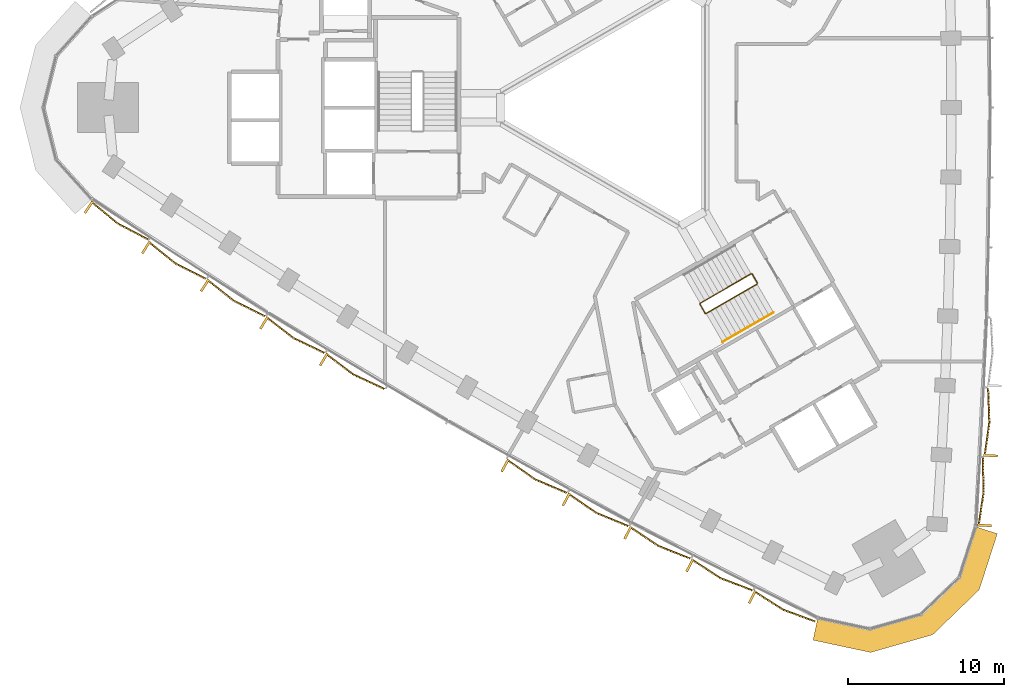
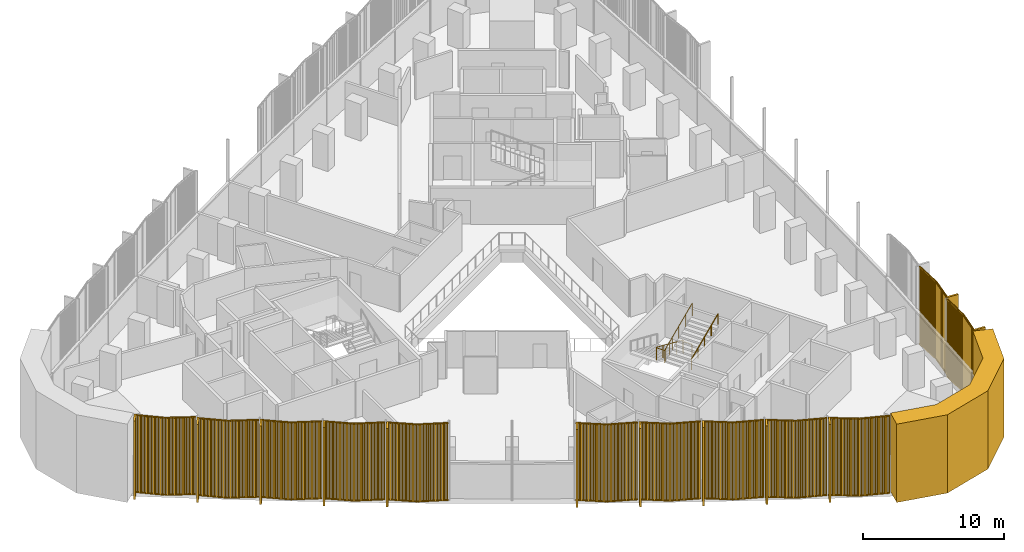
# One storey, part 12 of 15: 13 coverings, 2 railings.
"""IFC4 building model written with IfcOpenShell, lengths in metres."""

from ifc_helpers import new_model, si_unit, direction, frame, frame_2d, origin, origin_2d, place, context, subcontext, project, spatial, polyline, rectangle, circle, outline, extrude, source, transform, mapped, material, layer, layer_set, type_object, element, save


model = new_model("IFC4")

# Units and contexts
model_context = context("Model", 3, precision=1e-05, world=origin(), true_north=direction((0.0, 1.0)))
body_context = subcontext(model_context, "Body", "Model", "MODEL_VIEW")
ifc_project = project(units=[si_unit("LENGTHUNIT", "METRE"), si_unit("AREAUNIT", "SQUARE_METRE"), si_unit("VOLUMEUNIT", "CUBIC_METRE"), si_unit("PLANEANGLEUNIT", "RADIAN"), si_unit("MASSUNIT", "GRAM", prefix="KILO")], contexts=[model_context])

# Site, building, storey
site_placement = place(None, origin())
site = spatial("IfcSite", under=ifc_project, at=site_placement, CompositionType="ELEMENT")
building_placement = place(site_placement, origin())
building = spatial("IfcBuilding", under=site, at=building_placement, Name="Tamra Quay Hotel Tower", CompositionType="ELEMENT")
storey_placement = place(building_placement, frame((0.0, 0.0, 101.0)))
storey = spatial("IfcBuildingStorey", under=building, at=storey_placement, Name="L24", CompositionType="ELEMENT", Elevation=101.0)

# Covering
ifc_material_1 = material(Name="Precast concrete M60 terracotta-coloured", Category="masonry")
ifc_layer = layer(ifc_material_1, 1.449951171875)
ifc_layer_set = layer_set([ifc_layer], Name="CORNER PIER PANEL")
covering_type_1 = type_object("IfcCoveringType", Name="CORNER PIER PANEL", PredefinedType="CLADDING", material=ifc_layer_set)
covering_placement = place(storey_placement, origin())
element("IfcCovering", 1, at=covering_placement, inside=storey, type_object=covering_type_1, Name="Corner pier L24.south-west", PredefinedType="CLADDING", context=body_context, shape_type="SweptSolid", body=[
    extrude(outline(polyline([(12.11181640625, -32.657470703125), (11.808349609375, -34.075439453125), (15.497314453125, -34.864501953125), (19.471923828125, -33.7265625), (22.44482421875, -30.853271484375), (23.60595703125, -27.26416015625), (22.226318359375, -26.81787109375), (21.1767578125, -30.062255859375), (18.724609375, -32.43212890625), (15.4462890625, -33.370849609375), (12.11181640625, -32.657470703125)])), origin(), (0.0, 0.0, 1.0), 6.77490234375),
])

# Railings
ifc_material_2 = material(Name="Stair guard 1100")
railing_type_1 = type_object("IfcRailingType", Name="Stair guard 1100", PredefinedType="GUARDRAIL", material=ifc_material_2)
railing_1_placement = place(storey_placement, frame((8.245849609375, -11.221923828125, 0.0)))
element("IfcRailing", 2, at=railing_1_placement, inside=storey, type_object=railing_type_1, Name="GR", PredefinedType="GUARDRAIL", context=body_context, shape_type="SweptSolid", body=[
    extrude(circle(Radius=0.02392578125, at=origin_2d()), frame((0.0, 0.0, 1.076171875), z_axis=(-0.500043078269, 0.866000531106, 0.0), x_axis=(-0.866000531106, -0.500043078269, 0.0)), (0.0, 0.0, 1.0), 0.6591796875),
    extrude(circle(Radius=0.02392578125, at=origin_2d()), frame((-0.32958984375, 0.57080078125, 1.076171875), z_axis=(-0.41238007866, 0.110458949641, 0.904290601062), x_axis=(-0.258736085224, -0.965948051503, 0.0)), (0.0, 0.0, 1.0), 0.165771484375),
    extrude(circle(Radius=0.02392578125, at=origin_2d()), frame((-0.39794921875, 0.589111328125, 1.22607421875), z_axis=(-0.793081581205, -0.457901355053, 0.401681409319), x_axis=(0.500012686397, -0.866018079166, 0.0)), (0.0, 0.0, 1.0), 4.108154296875),
    extrude(circle(Radius=0.02392578125, at=origin_2d()), frame((-3.656005859375, -1.2919921875, 2.8759765625), z_axis=(-0.256368644879, -0.966579080015, 0.0), x_axis=(0.966579080015, -0.256368644879, 0.0)), (0.0, 0.0, 1.0), 0.070556640625),
    extrude(circle(Radius=0.02392578125, at=origin_2d()), frame((-3.674072265625, -1.360107421875, 2.8759765625), z_axis=(0.499765215335, -0.866160914346, 0.0), x_axis=(0.866160914346, 0.499765215335, 0.0)), (0.0, 0.0, 1.0), 0.658935546875),
    extrude(circle(Radius=0.02392578125, at=origin_2d()), frame((-3.3447265625, -1.930908203125, 2.8759765625), z_axis=(0.41238007866, -0.110458949641, 0.904290601062), x_axis=(0.258736085224, 0.965948051503, 0.0)), (0.0, 0.0, 1.0), 0.165771484375),
    extrude(circle(Radius=0.02392578125, at=origin_2d()), frame((-3.2763671875, -1.94921875, 3.02587890625), z_axis=(0.793081581205, 0.457901355053, 0.401681409319), x_axis=(-0.500012686397, 0.866018079166, 0.0)), (0.0, 0.0, 1.0), 4.108154296875),
    extrude(circle(Radius=0.02099609375, at=origin_2d()), origin(), (0.0, 0.0, 1.0), 1.052001953125),
    extrude(circle(Radius=0.02099609375, at=origin_2d()), frame((-0.32958984375, 0.57080078125, 0.0)), (0.0, 0.0, 1.0), 1.052001953125),
    extrude(circle(Radius=0.02099609375, at=origin_2d()), frame((-0.39794921875, 0.589111328125, 0.14990234375)), (0.0, 0.0, 1.0), 1.052001953125),
    extrude(circle(Radius=0.02099609375, at=origin_2d()), frame((-1.21240234375, 0.118896484375, 0.5625)), (0.0, 0.0, 1.0), 1.052001953125),
    extrude(circle(Radius=0.02099609375, at=origin_2d()), frame((-2.02685546875, -0.3515625, 0.97509765625)), (0.0, 0.0, 1.0), 1.052001953125),
    extrude(circle(Radius=0.02099609375, at=origin_2d()), frame((-2.841552734375, -0.82177734375, 1.387451171875)), (0.0, 0.0, 1.0), 1.052001953125),
    extrude(circle(Radius=0.02099609375, at=origin_2d()), frame((-3.656005859375, -1.2919921875, 1.800048828125)), (0.0, 0.0, 1.0), 1.052001953125),
    extrude(circle(Radius=0.02099609375, at=origin_2d()), frame((-3.674072265625, -1.360107421875, 1.800048828125)), (0.0, 0.0, 1.0), 1.052001953125),
    extrude(circle(Radius=0.02099609375, at=origin_2d()), frame((-3.3447265625, -1.930908203125, 1.800048828125)), (0.0, 0.0, 1.0), 1.052001953125),
    extrude(circle(Radius=0.02099609375, at=origin_2d()), frame((-3.2763671875, -1.94921875, 1.949951171875)), (0.0, 0.0, 1.0), 1.052001953125),
    extrude(circle(Radius=0.02099609375, at=origin_2d()), frame((-2.4619140625, -1.47900390625, 2.362548828125)), (0.0, 0.0, 1.0), 1.052001953125),
    extrude(circle(Radius=0.02099609375, at=origin_2d()), frame((-1.6474609375, -1.0087890625, 2.77490234375)), (0.0, 0.0, 1.0), 1.052001953125),
    extrude(circle(Radius=0.02099609375, at=origin_2d()), frame((-0.832763671875, -0.538330078125, 3.1875)), (0.0, 0.0, 1.0), 1.052001953125),
    extrude(circle(Radius=0.02099609375, at=origin_2d()), frame((-0.018310546875, -0.068115234375, 3.60009765625)), (0.0, 0.0, 1.0), 1.052001953125),
])
ifc_material_3 = material(Name="Stair handrail 900")
railing_type_2 = type_object("IfcRailingType", Name="Stair handrail 900", PredefinedType="HANDRAIL", material=ifc_material_3)
railing_2_placement = place(storey_placement, frame((6.01953125, -14.98974609375, 1.949951171875)))
element("IfcRailing", 3, at=railing_2_placement, inside=storey, type_object=railing_type_2, Name="HR", PredefinedType="HANDRAIL", context=body_context, shape_type="SweptSolid", body=[
    extrude(circle(Radius=0.02392578125, at=origin_2d()), frame((0.0, 0.0, 0.8759765625), z_axis=(0.793081112945, 0.457875966286, 0.40171127416), x_axis=(-0.499992114976, 0.866029956157, 0.0)), (0.0, 0.0, 1.0), 4.10791015625),
    extrude(circle(Radius=0.02099609375, at=origin_2d()), origin(), (0.0, 0.0, 1.0), 0.851806640625),
    extrude(circle(Radius=0.02099609375, at=origin_2d()), frame((0.814453125, 0.47021484375, 0.41259765625)), (0.0, 0.0, 1.0), 0.851806640625),
    extrude(circle(Radius=0.02099609375, at=origin_2d()), frame((1.62890625, 0.9404296875, 0.8251953125)), (0.0, 0.0, 1.0), 0.851806640625),
    extrude(circle(Radius=0.02099609375, at=origin_2d()), frame((2.443359375, 1.41064453125, 1.237548828125)), (0.0, 0.0, 1.0), 0.851806640625),
    extrude(circle(Radius=0.02099609375, at=origin_2d()), frame((3.2578125, 1.880859375, 1.650146484375)), (0.0, 0.0, 1.0), 0.851806640625),
])

# Coverings
ifc_material_4 = material(Name="Terracotta baguette extruded", Category="masonry")
covering_type_2 = type_object("IfcCoveringType", Name="BAGUETTE SCREEN E-V H6775", PredefinedType="USERDEFINED", material=ifc_material_4)
shared_shape_1 = source(origin(), body_context, "Body", "SweptSolid", [
    extrude(rectangle(XDim=2.200927734375, YDim=0.06005859375, at=frame_2d((1.1005859375, 0.030029296875))), frame((-2.19775390625, -0.057861328125, -0.1201171875), z_axis=(0.0, 0.0, 1.0), x_axis=(0.996194698092, -0.087155742748, 0.0)), (0.0, 0.0, 1.0), 0.1201171875),
    extrude(rectangle(XDim=2.200927734375, YDim=0.06005859375, at=frame_2d((1.1005859375, 0.030029296875))), frame((-2.19775390625, -0.057861328125, -6.77490234375), z_axis=(0.0, 0.0, 1.0), x_axis=(0.996194698092, -0.087155742748, 0.0)), (0.0, 0.0, 1.0), 0.1201171875),
    extrude(rectangle(XDim=0.070068359375, YDim=0.10009765625, at=frame_2d((0.03515625, 0.050048828125))), frame((-2.177734375, -0.13232421875, -6.715087890625)), (0.0, 0.0, 1.0), 6.655029296875),
    extrude(rectangle(XDim=0.070068359375, YDim=0.10009765625, at=frame_2d((0.03515625, 0.050048828125))), frame((-2.078125, -0.14111328125, -6.715087890625)), (0.0, 0.0, 1.0), 6.655029296875),
    extrude(rectangle(XDim=0.070068359375, YDim=0.10009765625, at=frame_2d((0.03515625, 0.050048828125))), frame((-1.978271484375, -0.14990234375, -6.715087890625)), (0.0, 0.0, 1.0), 6.655029296875),
    extrude(rectangle(XDim=0.070068359375, YDim=0.10009765625, at=frame_2d((0.03515625, 0.050048828125))), frame((-1.878662109375, -0.158447265625, -6.715087890625)), (0.0, 0.0, 1.0), 6.655029296875),
    extrude(rectangle(XDim=0.070068359375, YDim=0.10009765625, at=frame_2d((0.03515625, 0.050048828125))), frame((-1.779052734375, -0.167236328125, -6.715087890625)), (0.0, 0.0, 1.0), 6.655029296875),
    extrude(rectangle(XDim=0.070068359375, YDim=0.10009765625, at=frame_2d((0.03515625, 0.050048828125))), frame((-1.679443359375, -0.176025390625, -6.715087890625)), (0.0, 0.0, 1.0), 6.655029296875),
    extrude(rectangle(XDim=0.070068359375, YDim=0.10009765625, at=frame_2d((0.03515625, 0.050048828125))), frame((-1.579833984375, -0.1845703125, -6.715087890625)), (0.0, 0.0, 1.0), 6.655029296875),
    extrude(rectangle(XDim=0.070068359375, YDim=0.10009765625, at=frame_2d((0.03515625, 0.050048828125))), frame((-1.47998046875, -0.193359375, -6.715087890625)), (0.0, 0.0, 1.0), 6.655029296875),
    extrude(rectangle(XDim=0.070068359375, YDim=0.10009765625, at=frame_2d((0.03515625, 0.050048828125))), frame((-1.38037109375, -0.2021484375, -6.715087890625)), (0.0, 0.0, 1.0), 6.655029296875),
    extrude(rectangle(XDim=0.070068359375, YDim=0.10009765625, at=frame_2d((0.03515625, 0.050048828125))), frame((-1.28076171875, -0.2109375, -6.715087890625)), (0.0, 0.0, 1.0), 6.655029296875),
    extrude(rectangle(XDim=0.070068359375, YDim=0.10009765625, at=frame_2d((0.03515625, 0.050048828125))), frame((-1.18115234375, -0.219482421875, -6.715087890625)), (0.0, 0.0, 1.0), 6.655029296875),
    extrude(rectangle(XDim=0.070068359375, YDim=0.10009765625, at=frame_2d((0.03515625, 0.050048828125))), frame((-1.081298828125, -0.228271484375, -6.715087890625)), (0.0, 0.0, 1.0), 6.655029296875),
    extrude(rectangle(XDim=0.070068359375, YDim=0.10009765625, at=frame_2d((0.03515625, 0.050048828125))), frame((-0.981689453125, -0.237060546875, -6.715087890625)), (0.0, 0.0, 1.0), 6.655029296875),
    extrude(rectangle(XDim=0.070068359375, YDim=0.10009765625, at=frame_2d((0.03515625, 0.050048828125))), frame((-0.882080078125, -0.24560546875, -6.715087890625)), (0.0, 0.0, 1.0), 6.655029296875),
    extrude(rectangle(XDim=0.070068359375, YDim=0.10009765625, at=frame_2d((0.03515625, 0.050048828125))), frame((-0.782470703125, -0.25439453125, -6.715087890625)), (0.0, 0.0, 1.0), 6.655029296875),
    extrude(rectangle(XDim=0.070068359375, YDim=0.10009765625, at=frame_2d((0.03515625, 0.050048828125))), frame((-0.682861328125, -0.26318359375, -6.715087890625)), (0.0, 0.0, 1.0), 6.655029296875),
    extrude(rectangle(XDim=0.070068359375, YDim=0.10009765625, at=frame_2d((0.03515625, 0.050048828125))), frame((-0.583251953125, -0.27197265625, -6.715087890625)), (0.0, 0.0, 1.0), 6.655029296875),
    extrude(rectangle(XDim=0.070068359375, YDim=0.10009765625, at=frame_2d((0.03515625, 0.050048828125))), frame((-0.4833984375, -0.280517578125, -6.715087890625)), (0.0, 0.0, 1.0), 6.655029296875),
    extrude(rectangle(XDim=0.070068359375, YDim=0.10009765625, at=frame_2d((0.03515625, 0.050048828125))), frame((-0.3837890625, -0.289306640625, -6.715087890625)), (0.0, 0.0, 1.0), 6.655029296875),
    extrude(rectangle(XDim=0.070068359375, YDim=0.10009765625, at=frame_2d((0.03515625, 0.050048828125))), frame((-0.2841796875, -0.298095703125, -6.715087890625)), (0.0, 0.0, 1.0), 6.655029296875),
    extrude(rectangle(XDim=0.070068359375, YDim=0.10009765625, at=frame_2d((0.03515625, 0.050048828125))), frame((-0.1845703125, -0.306640625, -6.715087890625)), (0.0, 0.0, 1.0), 6.655029296875),
    extrude(rectangle(XDim=0.070068359375, YDim=0.10009765625, at=frame_2d((0.03515625, 0.050048828125))), frame((-0.084716796875, -0.3154296875, -6.715087890625)), (0.0, 0.0, 1.0), 6.655029296875),
    extrude(rectangle(XDim=2.200927734375, YDim=0.06005859375, at=frame_2d((1.1005859375, 0.030029296875))), frame((0.005126953125, -0.24951171875, -0.1201171875), z_axis=(0.0, 0.0, 1.0), x_axis=(0.996194698092, 0.087155742748, 0.0)), (0.0, 0.0, 1.0), 0.1201171875),
    extrude(rectangle(XDim=2.200927734375, YDim=0.06005859375, at=frame_2d((1.1005859375, 0.030029296875))), frame((0.005126953125, -0.24951171875, -6.77490234375), z_axis=(0.0, 0.0, 1.0), x_axis=(0.996194698092, 0.087155742748, 0.0)), (0.0, 0.0, 1.0), 0.1201171875),
    extrude(rectangle(XDim=0.070068359375, YDim=0.10009765625, at=frame_2d((0.03515625, 0.050048828125))), frame((0.014892578125, -0.3154296875, -6.715087890625)), (0.0, 0.0, 1.0), 6.655029296875),
    extrude(rectangle(XDim=0.070068359375, YDim=0.10009765625, at=frame_2d((0.03515625, 0.050048828125))), frame((0.114501953125, -0.306640625, -6.715087890625)), (0.0, 0.0, 1.0), 6.655029296875),
    extrude(rectangle(XDim=0.070068359375, YDim=0.10009765625, at=frame_2d((0.03515625, 0.050048828125))), frame((0.214111328125, -0.298095703125, -6.715087890625)), (0.0, 0.0, 1.0), 6.655029296875),
    extrude(rectangle(XDim=0.070068359375, YDim=0.10009765625, at=frame_2d((0.03515625, 0.050048828125))), frame((0.313720703125, -0.289306640625, -6.715087890625)), (0.0, 0.0, 1.0), 6.655029296875),
    extrude(rectangle(XDim=0.070068359375, YDim=0.10009765625, at=frame_2d((0.03515625, 0.050048828125))), frame((0.41357421875, -0.280517578125, -6.715087890625)), (0.0, 0.0, 1.0), 6.655029296875),
    extrude(rectangle(XDim=0.070068359375, YDim=0.10009765625, at=frame_2d((0.03515625, 0.050048828125))), frame((0.51318359375, -0.27197265625, -6.715087890625)), (0.0, 0.0, 1.0), 6.655029296875),
    extrude(rectangle(XDim=0.070068359375, YDim=0.10009765625, at=frame_2d((0.03515625, 0.050048828125))), frame((0.61279296875, -0.26318359375, -6.715087890625)), (0.0, 0.0, 1.0), 6.655029296875),
    extrude(rectangle(XDim=0.070068359375, YDim=0.10009765625, at=frame_2d((0.03515625, 0.050048828125))), frame((0.71240234375, -0.25439453125, -6.715087890625)), (0.0, 0.0, 1.0), 6.655029296875),
    extrude(rectangle(XDim=0.070068359375, YDim=0.10009765625, at=frame_2d((0.03515625, 0.050048828125))), frame((0.81201171875, -0.24560546875, -6.715087890625)), (0.0, 0.0, 1.0), 6.655029296875),
    extrude(rectangle(XDim=0.070068359375, YDim=0.10009765625, at=frame_2d((0.03515625, 0.050048828125))), frame((0.911865234375, -0.237060546875, -6.715087890625)), (0.0, 0.0, 1.0), 6.655029296875),
    extrude(rectangle(XDim=0.070068359375, YDim=0.10009765625, at=frame_2d((0.03515625, 0.050048828125))), frame((1.011474609375, -0.228271484375, -6.715087890625)), (0.0, 0.0, 1.0), 6.655029296875),
    extrude(rectangle(XDim=0.070068359375, YDim=0.10009765625, at=frame_2d((0.03515625, 0.050048828125))), frame((1.111083984375, -0.219482421875, -6.715087890625)), (0.0, 0.0, 1.0), 6.655029296875),
    extrude(rectangle(XDim=0.070068359375, YDim=0.10009765625, at=frame_2d((0.03515625, 0.050048828125))), frame((1.210693359375, -0.2109375, -6.715087890625)), (0.0, 0.0, 1.0), 6.655029296875),
    extrude(rectangle(XDim=0.070068359375, YDim=0.10009765625, at=frame_2d((0.03515625, 0.050048828125))), frame((1.310302734375, -0.2021484375, -6.715087890625)), (0.0, 0.0, 1.0), 6.655029296875),
    extrude(rectangle(XDim=0.070068359375, YDim=0.10009765625, at=frame_2d((0.03515625, 0.050048828125))), frame((1.41015625, -0.193359375, -6.715087890625)), (0.0, 0.0, 1.0), 6.655029296875),
    extrude(rectangle(XDim=0.070068359375, YDim=0.10009765625, at=frame_2d((0.03515625, 0.050048828125))), frame((1.509765625, -0.1845703125, -6.715087890625)), (0.0, 0.0, 1.0), 6.655029296875),
    extrude(rectangle(XDim=0.070068359375, YDim=0.10009765625, at=frame_2d((0.03515625, 0.050048828125))), frame((1.609375, -0.176025390625, -6.715087890625)), (0.0, 0.0, 1.0), 6.655029296875),
    extrude(rectangle(XDim=0.070068359375, YDim=0.10009765625, at=frame_2d((0.03515625, 0.050048828125))), frame((1.708984375, -0.167236328125, -6.715087890625)), (0.0, 0.0, 1.0), 6.655029296875),
    extrude(rectangle(XDim=0.070068359375, YDim=0.10009765625, at=frame_2d((0.03515625, 0.050048828125))), frame((1.80859375, -0.158447265625, -6.715087890625)), (0.0, 0.0, 1.0), 6.655029296875),
    extrude(rectangle(XDim=0.070068359375, YDim=0.10009765625, at=frame_2d((0.03515625, 0.050048828125))), frame((1.908447265625, -0.14990234375, -6.715087890625)), (0.0, 0.0, 1.0), 6.655029296875),
    extrude(rectangle(XDim=0.070068359375, YDim=0.10009765625, at=frame_2d((0.03515625, 0.050048828125))), frame((2.008056640625, -0.14111328125, -6.715087890625)), (0.0, 0.0, 1.0), 6.655029296875),
    extrude(rectangle(XDim=0.070068359375, YDim=0.10009765625, at=frame_2d((0.03515625, 0.050048828125))), frame((2.107666015625, -0.13232421875, -6.715087890625)), (0.0, 0.0, 1.0), 6.655029296875),
    extrude(rectangle(XDim=0.14990234375, YDim=0.902099609375, at=frame_2d((0.074951171875, 0.451171875))), frame((-2.1923828125, -0.89990234375, -6.77490234375)), (0.0, 0.0, 1.0), 6.77490234375),
])
for number, where, z_axis, x_axis, name in (
    (4, (22.474365234375, -24.5927734375, 6.77490234375), (0.0, 0.0, 1.0), (0.062669917068, 0.998034308776, 0.0), "Baguette screen L24.E.f00"),
    (5, (22.839111328125, -20.131591796875, 6.77490234375), (0.0, 0.0, 1.0), (0.051320736558, 0.998682222731, 0.0), "Baguette screen L24.E.f01"),
):
    element("IfcCovering", number, at=place(storey_placement, frame(where, z_axis=z_axis, x_axis=x_axis)), inside=storey, type_object=covering_type_2, Name=name, ObjectType="BAGUETTE SCREEN", PredefinedType="USERDEFINED", context=body_context, shape_type="MappedRepresentation", body=[
        mapped(shared_shape_1, transform((0.0, 0.0, 0.0), scale=1.0)),
    ])
covering_type_3 = type_object("IfcCoveringType", Name="BAGUETTE SCREEN SW-V H6775", PredefinedType="USERDEFINED", material=ifc_material_4)
shared_shape_2 = source(origin(), body_context, "Body", "SweptSolid", [
    extrude(rectangle(XDim=2.20458984375, YDim=0.06005859375, at=frame_2d((1.102294921875, 0.030029296875))), frame((-2.19873046875, -0.0576171875, -0.1201171875), z_axis=(0.0, 0.0, 1.0), x_axis=(0.994521895368, -0.104528463268, 0.0)), (0.0, 0.0, 1.0), 0.1201171875),
    extrude(rectangle(XDim=2.20458984375, YDim=0.06005859375, at=frame_2d((1.102294921875, 0.030029296875))), frame((-2.19873046875, -0.0576171875, -6.77490234375), z_axis=(0.0, 0.0, 1.0), x_axis=(0.994521895368, -0.104528463268, 0.0)), (0.0, 0.0, 1.0), 0.1201171875),
    extrude(rectangle(XDim=0.070068359375, YDim=0.10009765625, at=frame_2d((0.03515625, 0.050048828125))), frame((-2.177734375, -0.13330078125, -6.715087890625)), (0.0, 0.0, 1.0), 6.655029296875),
    extrude(rectangle(XDim=0.070068359375, YDim=0.10009765625, at=frame_2d((0.03515625, 0.050048828125))), frame((-2.078125, -0.143798828125, -6.715087890625)), (0.0, 0.0, 1.0), 6.655029296875),
    extrude(rectangle(XDim=0.070068359375, YDim=0.10009765625, at=frame_2d((0.03515625, 0.050048828125))), frame((-1.978271484375, -0.154296875, -6.715087890625)), (0.0, 0.0, 1.0), 6.655029296875),
    extrude(rectangle(XDim=0.070068359375, YDim=0.10009765625, at=frame_2d((0.03515625, 0.050048828125))), frame((-1.878662109375, -0.16455078125, -6.715087890625)), (0.0, 0.0, 1.0), 6.655029296875),
    extrude(rectangle(XDim=0.070068359375, YDim=0.10009765625, at=frame_2d((0.03515625, 0.050048828125))), frame((-1.779052734375, -0.175048828125, -6.715087890625)), (0.0, 0.0, 1.0), 6.655029296875),
    extrude(rectangle(XDim=0.070068359375, YDim=0.10009765625, at=frame_2d((0.03515625, 0.050048828125))), frame((-1.679443359375, -0.185546875, -6.715087890625)), (0.0, 0.0, 1.0), 6.655029296875),
    extrude(rectangle(XDim=0.070068359375, YDim=0.10009765625, at=frame_2d((0.03515625, 0.050048828125))), frame((-1.579833984375, -0.196044921875, -6.715087890625)), (0.0, 0.0, 1.0), 6.655029296875),
    extrude(rectangle(XDim=0.070068359375, YDim=0.10009765625, at=frame_2d((0.03515625, 0.050048828125))), frame((-1.47998046875, -0.20654296875, -6.715087890625)), (0.0, 0.0, 1.0), 6.655029296875),
    extrude(rectangle(XDim=0.070068359375, YDim=0.10009765625, at=frame_2d((0.03515625, 0.050048828125))), frame((-1.38037109375, -0.217041015625, -6.715087890625)), (0.0, 0.0, 1.0), 6.655029296875),
    extrude(rectangle(XDim=0.070068359375, YDim=0.10009765625, at=frame_2d((0.03515625, 0.050048828125))), frame((-1.28076171875, -0.2275390625, -6.715087890625)), (0.0, 0.0, 1.0), 6.655029296875),
    extrude(rectangle(XDim=0.070068359375, YDim=0.10009765625, at=frame_2d((0.03515625, 0.050048828125))), frame((-1.18115234375, -0.238037109375, -6.715087890625)), (0.0, 0.0, 1.0), 6.655029296875),
    extrude(rectangle(XDim=0.070068359375, YDim=0.10009765625, at=frame_2d((0.03515625, 0.050048828125))), frame((-1.081298828125, -0.24853515625, -6.715087890625)), (0.0, 0.0, 1.0), 6.655029296875),
    extrude(rectangle(XDim=0.070068359375, YDim=0.10009765625, at=frame_2d((0.03515625, 0.050048828125))), frame((-0.981689453125, -0.259033203125, -6.715087890625)), (0.0, 0.0, 1.0), 6.655029296875),
    extrude(rectangle(XDim=0.070068359375, YDim=0.10009765625, at=frame_2d((0.03515625, 0.050048828125))), frame((-0.882080078125, -0.26953125, -6.715087890625)), (0.0, 0.0, 1.0), 6.655029296875),
    extrude(rectangle(XDim=0.070068359375, YDim=0.10009765625, at=frame_2d((0.03515625, 0.050048828125))), frame((-0.782470703125, -0.27978515625, -6.715087890625)), (0.0, 0.0, 1.0), 6.655029296875),
    extrude(rectangle(XDim=0.070068359375, YDim=0.10009765625, at=frame_2d((0.03515625, 0.050048828125))), frame((-0.682861328125, -0.290283203125, -6.715087890625)), (0.0, 0.0, 1.0), 6.655029296875),
    extrude(rectangle(XDim=0.070068359375, YDim=0.10009765625, at=frame_2d((0.03515625, 0.050048828125))), frame((-0.583251953125, -0.30078125, -6.715087890625)), (0.0, 0.0, 1.0), 6.655029296875),
    extrude(rectangle(XDim=0.070068359375, YDim=0.10009765625, at=frame_2d((0.03515625, 0.050048828125))), frame((-0.4833984375, -0.311279296875, -6.715087890625)), (0.0, 0.0, 1.0), 6.655029296875),
    extrude(rectangle(XDim=0.070068359375, YDim=0.10009765625, at=frame_2d((0.03515625, 0.050048828125))), frame((-0.3837890625, -0.32177734375, -6.715087890625)), (0.0, 0.0, 1.0), 6.655029296875),
    extrude(rectangle(XDim=0.070068359375, YDim=0.10009765625, at=frame_2d((0.03515625, 0.050048828125))), frame((-0.2841796875, -0.332275390625, -6.715087890625)), (0.0, 0.0, 1.0), 6.655029296875),
    extrude(rectangle(XDim=0.070068359375, YDim=0.10009765625, at=frame_2d((0.03515625, 0.050048828125))), frame((-0.1845703125, -0.3427734375, -6.715087890625)), (0.0, 0.0, 1.0), 6.655029296875),
    extrude(rectangle(XDim=0.070068359375, YDim=0.10009765625, at=frame_2d((0.03515625, 0.050048828125))), frame((-0.084716796875, -0.353271484375, -6.715087890625)), (0.0, 0.0, 1.0), 6.655029296875),
    extrude(rectangle(XDim=2.20458984375, YDim=0.06005859375, at=frame_2d((1.102294921875, 0.030029296875))), frame((0.00634765625, -0.2880859375, -0.1201171875), z_axis=(0.0, 0.0, 1.0), x_axis=(0.994521895368, 0.104528463268, 0.0)), (0.0, 0.0, 1.0), 0.1201171875),
    extrude(rectangle(XDim=2.20458984375, YDim=0.06005859375, at=frame_2d((1.102294921875, 0.030029296875))), frame((0.00634765625, -0.2880859375, -6.77490234375), z_axis=(0.0, 0.0, 1.0), x_axis=(0.994521895368, 0.104528463268, 0.0)), (0.0, 0.0, 1.0), 0.1201171875),
    extrude(rectangle(XDim=0.070068359375, YDim=0.10009765625, at=frame_2d((0.03515625, 0.050048828125))), frame((0.014892578125, -0.353271484375, -6.715087890625)), (0.0, 0.0, 1.0), 6.655029296875),
    extrude(rectangle(XDim=0.070068359375, YDim=0.10009765625, at=frame_2d((0.03515625, 0.050048828125))), frame((0.114501953125, -0.3427734375, -6.715087890625)), (0.0, 0.0, 1.0), 6.655029296875),
    extrude(rectangle(XDim=0.070068359375, YDim=0.10009765625, at=frame_2d((0.03515625, 0.050048828125))), frame((0.214111328125, -0.332275390625, -6.715087890625)), (0.0, 0.0, 1.0), 6.655029296875),
    extrude(rectangle(XDim=0.070068359375, YDim=0.10009765625, at=frame_2d((0.03515625, 0.050048828125))), frame((0.313720703125, -0.32177734375, -6.715087890625)), (0.0, 0.0, 1.0), 6.655029296875),
    extrude(rectangle(XDim=0.070068359375, YDim=0.10009765625, at=frame_2d((0.03515625, 0.050048828125))), frame((0.41357421875, -0.311279296875, -6.715087890625)), (0.0, 0.0, 1.0), 6.655029296875),
    extrude(rectangle(XDim=0.070068359375, YDim=0.10009765625, at=frame_2d((0.03515625, 0.050048828125))), frame((0.51318359375, -0.30078125, -6.715087890625)), (0.0, 0.0, 1.0), 6.655029296875),
    extrude(rectangle(XDim=0.070068359375, YDim=0.10009765625, at=frame_2d((0.03515625, 0.050048828125))), frame((0.61279296875, -0.290283203125, -6.715087890625)), (0.0, 0.0, 1.0), 6.655029296875),
    extrude(rectangle(XDim=0.070068359375, YDim=0.10009765625, at=frame_2d((0.03515625, 0.050048828125))), frame((0.71240234375, -0.27978515625, -6.715087890625)), (0.0, 0.0, 1.0), 6.655029296875),
    extrude(rectangle(XDim=0.070068359375, YDim=0.10009765625, at=frame_2d((0.03515625, 0.050048828125))), frame((0.81201171875, -0.26953125, -6.715087890625)), (0.0, 0.0, 1.0), 6.655029296875),
    extrude(rectangle(XDim=0.070068359375, YDim=0.10009765625, at=frame_2d((0.03515625, 0.050048828125))), frame((0.911865234375, -0.259033203125, -6.715087890625)), (0.0, 0.0, 1.0), 6.655029296875),
    extrude(rectangle(XDim=0.070068359375, YDim=0.10009765625, at=frame_2d((0.03515625, 0.050048828125))), frame((1.011474609375, -0.24853515625, -6.715087890625)), (0.0, 0.0, 1.0), 6.655029296875),
    extrude(rectangle(XDim=0.070068359375, YDim=0.10009765625, at=frame_2d((0.03515625, 0.050048828125))), frame((1.111083984375, -0.238037109375, -6.715087890625)), (0.0, 0.0, 1.0), 6.655029296875),
    extrude(rectangle(XDim=0.070068359375, YDim=0.10009765625, at=frame_2d((0.03515625, 0.050048828125))), frame((1.210693359375, -0.2275390625, -6.715087890625)), (0.0, 0.0, 1.0), 6.655029296875),
    extrude(rectangle(XDim=0.070068359375, YDim=0.10009765625, at=frame_2d((0.03515625, 0.050048828125))), frame((1.310302734375, -0.217041015625, -6.715087890625)), (0.0, 0.0, 1.0), 6.655029296875),
    extrude(rectangle(XDim=0.070068359375, YDim=0.10009765625, at=frame_2d((0.03515625, 0.050048828125))), frame((1.41015625, -0.20654296875, -6.715087890625)), (0.0, 0.0, 1.0), 6.655029296875),
    extrude(rectangle(XDim=0.070068359375, YDim=0.10009765625, at=frame_2d((0.03515625, 0.050048828125))), frame((1.509765625, -0.196044921875, -6.715087890625)), (0.0, 0.0, 1.0), 6.655029296875),
    extrude(rectangle(XDim=0.070068359375, YDim=0.10009765625, at=frame_2d((0.03515625, 0.050048828125))), frame((1.609375, -0.185546875, -6.715087890625)), (0.0, 0.0, 1.0), 6.655029296875),
    extrude(rectangle(XDim=0.070068359375, YDim=0.10009765625, at=frame_2d((0.03515625, 0.050048828125))), frame((1.708984375, -0.175048828125, -6.715087890625)), (0.0, 0.0, 1.0), 6.655029296875),
    extrude(rectangle(XDim=0.070068359375, YDim=0.10009765625, at=frame_2d((0.03515625, 0.050048828125))), frame((1.80859375, -0.16455078125, -6.715087890625)), (0.0, 0.0, 1.0), 6.655029296875),
    extrude(rectangle(XDim=0.070068359375, YDim=0.10009765625, at=frame_2d((0.03515625, 0.050048828125))), frame((1.908447265625, -0.154296875, -6.715087890625)), (0.0, 0.0, 1.0), 6.655029296875),
    extrude(rectangle(XDim=0.070068359375, YDim=0.10009765625, at=frame_2d((0.03515625, 0.050048828125))), frame((2.008056640625, -0.143798828125, -6.715087890625)), (0.0, 0.0, 1.0), 6.655029296875),
    extrude(rectangle(XDim=0.070068359375, YDim=0.10009765625, at=frame_2d((0.03515625, 0.050048828125))), frame((2.107666015625, -0.13330078125, -6.715087890625)), (0.0, 0.0, 1.0), 6.655029296875),
    extrude(rectangle(XDim=0.14990234375, YDim=0.902099609375, at=frame_2d((0.074951171875, 0.451171875))), frame((-2.1923828125, -0.89990234375, -6.77490234375)), (0.0, 0.0, 1.0), 6.77490234375),
])
for number, where, z_axis, x_axis, name in (
    (6, (-32.53515625, -7.1669921875, 6.77490234375), (0.0, 0.0, 1.0), (0.832988106715, -0.553290894622, 0.0), "Baguette screen L24.SW.f00"),
    (7, (-28.854248046875, -9.71337890625, 6.77490234375), (0.0, 0.0, 1.0), (0.839223806914, -0.543786172966, 0.0), "Baguette screen L24.SW.f01"),
    (8, (-25.084228515625, -12.125732421875, 6.77490234375), (0.0, 0.0, 1.0), (0.845362307372, -0.534193381909, 0.0), "Baguette screen L24.SW.f02"),
    (9, (-21.287109375, -14.4951171875, 6.77490234375), (0.0, 0.0, 1.0), (0.851399310906, -0.524518077276, 0.0), "Baguette screen L24.SW.f03"),
    (10, (-17.463134765625, -16.82080078125, 6.77490234375), (0.0, 0.0, 1.0), (0.857331299736, -0.5147650362, 0.0), "Baguette screen L24.SW.f04"),
    (11, (-5.835693359375, -23.533935546875, 6.77490234375), (0.0, 0.0, 1.0), (0.874465248197, -0.485088166931, 0.0), "Baguette screen L24.SW.f07"),
    (12, (-1.909423828125, -25.6826171875, 6.77490234375), (0.0, 0.0, 1.0), (0.879945635118, -0.475074393371, 0.0), "Baguette screen L24.SW.f08"),
    (13, (2.041015625, -27.78662109375, 6.77490234375), (0.0, 0.0, 1.0), (0.885306192952, -0.465008542631, 0.0), "Baguette screen L24.SW.f09"),
    (14, (6.014892578125, -29.84521484375, 6.77490234375), (0.0, 0.0, 1.0), (0.890544543472, -0.454896049765, 0.0), "Baguette screen L24.SW.f10"),
    (15, (10.011962890625, -31.858154296875, 6.77490234375), (0.0, 0.0, 1.0), (0.895658023783, -0.444743414154, 0.0), "Baguette screen L24.SW.f11"),
):
    element("IfcCovering", number, at=place(storey_placement, frame(where, z_axis=z_axis, x_axis=x_axis)), inside=storey, type_object=covering_type_3, Name=name, ObjectType="BAGUETTE SCREEN", PredefinedType="USERDEFINED", context=body_context, shape_type="MappedRepresentation", body=[
        mapped(shared_shape_2, transform((0.0, 0.0, 0.0), scale=1.0)),
    ])

save(model, "model.ifc")
